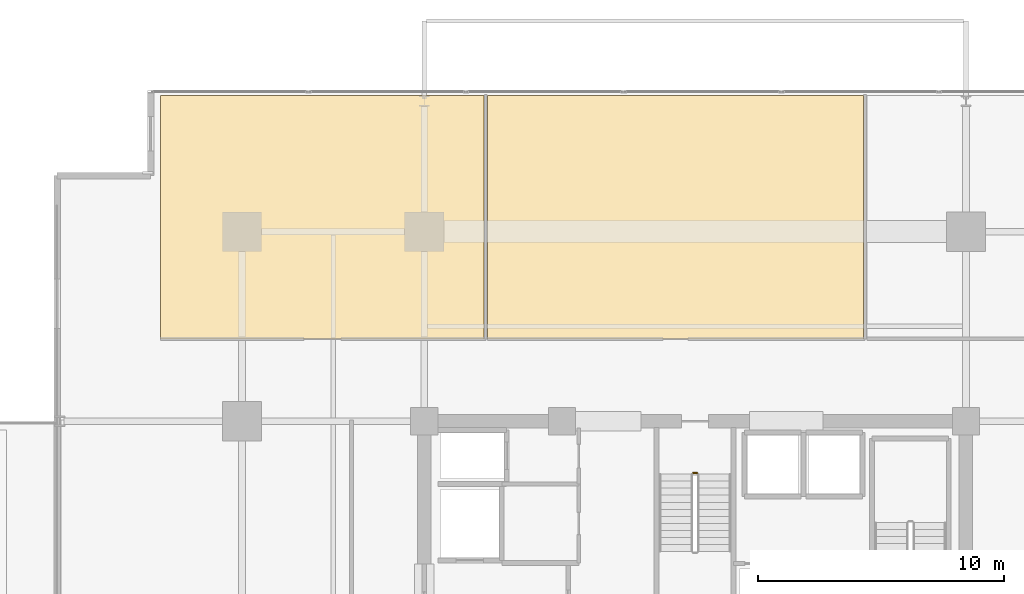
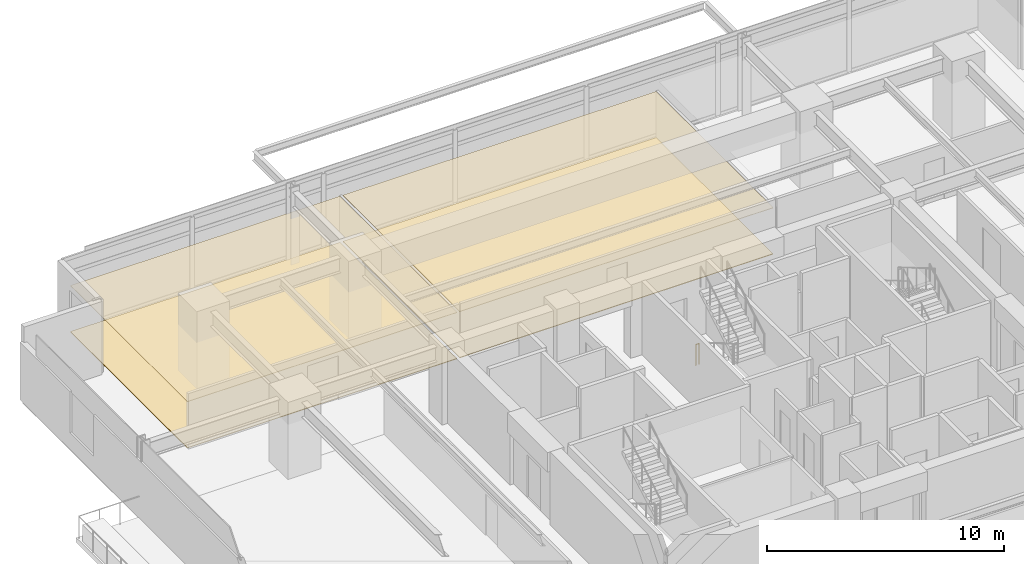
# One storey, part 23 of 24: 4 coverings, 1 railing.
"""IFC4 building model written with IfcOpenShell, lengths in metres."""

from ifc_helpers import new_model, si_unit, direction, frame, origin, origin_2d, place, context, subcontext, project, spatial, polyline, circle, outline, extrude, material, layer, layer_set, type_object, element, save


model = new_model("IFC4")

# Units and contexts
model_context = context("Model", 3, precision=1e-05, world=origin(), true_north=direction((0.0, 1.0)))
body_context = subcontext(model_context, "Body", "Model", "MODEL_VIEW")
ifc_project = project(units=[si_unit("LENGTHUNIT", "METRE"), si_unit("AREAUNIT", "SQUARE_METRE"), si_unit("VOLUMEUNIT", "CUBIC_METRE"), si_unit("PLANEANGLEUNIT", "RADIAN"), si_unit("MASSUNIT", "GRAM", prefix="KILO")], contexts=[model_context])

# Site, building, storey
site_placement = place(None, origin())
site = spatial("IfcSite", under=ifc_project, at=site_placement, CompositionType="ELEMENT")
building_placement = place(site_placement, origin())
building = spatial("IfcBuilding", under=site, at=building_placement, Name="Kovane Verandah Tower", CompositionType="ELEMENT")
storey_placement = place(building_placement, frame((0.0, 0.0, 144.39990234375)))
storey = spatial("IfcBuildingStorey", under=building, at=storey_placement, Name="L33", CompositionType="ELEMENT", Elevation=144.39990234375)

# Coverings
ifc_material_1 = material(Name="Perforated Acoustic Mineral-Fibre Ceiling Tile", Category="gypsum")
ifc_layer_1 = layer(ifc_material_1, 0.02490234375)
ifc_layer_set_1 = layer_set([ifc_layer_1], Name="Perforated Acoustic Mineral-Fibre Ceiling Tile")
covering_type_1 = type_object("IfcCoveringType", Name="CV-CEIL-25", PredefinedType="CEILING", material=ifc_layer_set_1)
covering_1_placement = place(storey_placement, frame((0.0, 0.0, 2.380126953125)))
element("IfcCovering", 1, at=covering_1_placement, inside=storey, type_object=covering_type_1, Name="L33 Client Boardroom N1 Acoustic Ceiling", PredefinedType="CEILING", context=body_context, shape_type="SweptSolid", body=[
    extrude(outline(polyline([(18.29296875, 39.85009765625), (31.42919921875, 39.85009765625), (31.42919921875, 49.72509765625), (18.29296875, 49.72509765625), (18.29296875, 39.85009765625)])), origin(), (0.0, 0.0, 1.0), 0.02490234375),
])
covering_2_placement = place(storey_placement, frame((0.0, 0.0, 2.380126953125)))
element("IfcCovering", 2, at=covering_2_placement, inside=storey, type_object=covering_type_1, Name="L33 Meeting Room N2 Acoustic Ceiling", PredefinedType="CEILING", context=body_context, shape_type="SweptSolid", body=[
    extrude(outline(polyline([(31.569091796875, 39.85009765625), (46.83642578125, 39.85009765625), (46.83642578125, 49.72509765625), (31.569091796875, 49.72509765625), (31.569091796875, 39.85009765625)])), origin(), (0.0, 0.0, 1.0), 0.02490234375),
])
ifc_material_2 = material(Name="Polished Terrazzo and Raised-Access Carpet Tile Finish", Category="concrete")
ifc_layer_2 = layer(ifc_material_2, 0.030029296875)
ifc_layer_set_2 = layer_set([ifc_layer_2], Name="Polished Terrazzo and Raised-Access Carpet Tile Finish")
covering_type_2 = type_object("IfcCoveringType", Name="CV-FLOR-30", PredefinedType="FLOORING", material=ifc_layer_set_2)
covering_3_placement = place(storey_placement, origin())
element("IfcCovering", 3, at=covering_3_placement, inside=storey, type_object=covering_type_2, Name="L33 Client Boardroom N1 Floor Finish", PredefinedType="FLOORING", context=body_context, shape_type="SweptSolid", body=[
    extrude(outline(polyline([(18.29296875, 39.85009765625), (31.42919921875, 39.85009765625), (31.42919921875, 49.72509765625), (18.29296875, 49.72509765625), (18.29296875, 39.85009765625)])), origin(), (0.0, 0.0, 1.0), 0.030029296875),
])
covering_4_placement = place(storey_placement, origin())
element("IfcCovering", 4, at=covering_4_placement, inside=storey, type_object=covering_type_2, Name="L33 Meeting Room N2 Floor Finish", PredefinedType="FLOORING", context=body_context, shape_type="SweptSolid", body=[
    extrude(outline(polyline([(31.569091796875, 39.85009765625), (46.83642578125, 39.85009765625), (46.83642578125, 49.72509765625), (31.569091796875, 49.72509765625), (31.569091796875, 39.85009765625)])), origin(), (0.0, 0.0, 1.0), 0.030029296875),
])

# Railing
ifc_material_3 = material(Name="Painted Steel Stairwell Guardrail", Category="steel")
railing_type = type_object("IfcRailingType", Name="RL-STGUARD-1120", PredefinedType="GUARDRAIL", material=ifc_material_3)
railing_placement = place(storey_placement, frame((39.919921875, 34.39990234375, 0.0)))
element("IfcRailing", 5, at=railing_placement, inside=storey, type_object=railing_type, Name="L33 ST-03 stair guard 4", PredefinedType="GUARDRAIL", context=body_context, shape_type="SweptSolid", body=[
    extrude(circle(Radius=0.02392578125, at=origin_2d()), frame((0.0, 0.0, 1.076171875), z_axis=(1.0, 0.0, 0.0), x_axis=(0.0, 1.0, 0.0)), (0.0, 0.0, 1.0), 0.16015625),
    extrude(circle(Radius=0.02099609375, at=origin_2d()), origin(), (0.0, 0.0, 1.0), 1.052001953125),
    extrude(circle(Radius=0.02099609375, at=origin_2d()), frame((0.16015625, 0.0, 0.0)), (0.0, 0.0, 1.0), 1.052001953125),
])

save(model, "model.ifc")
